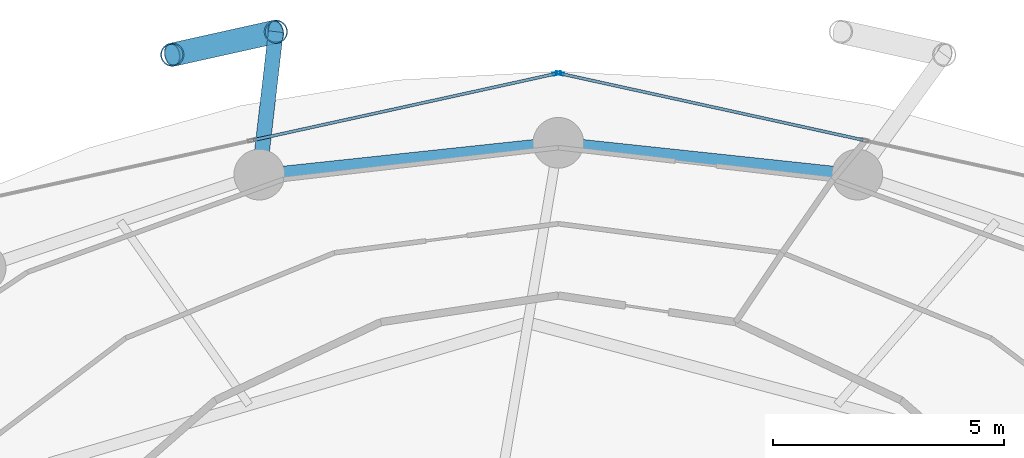
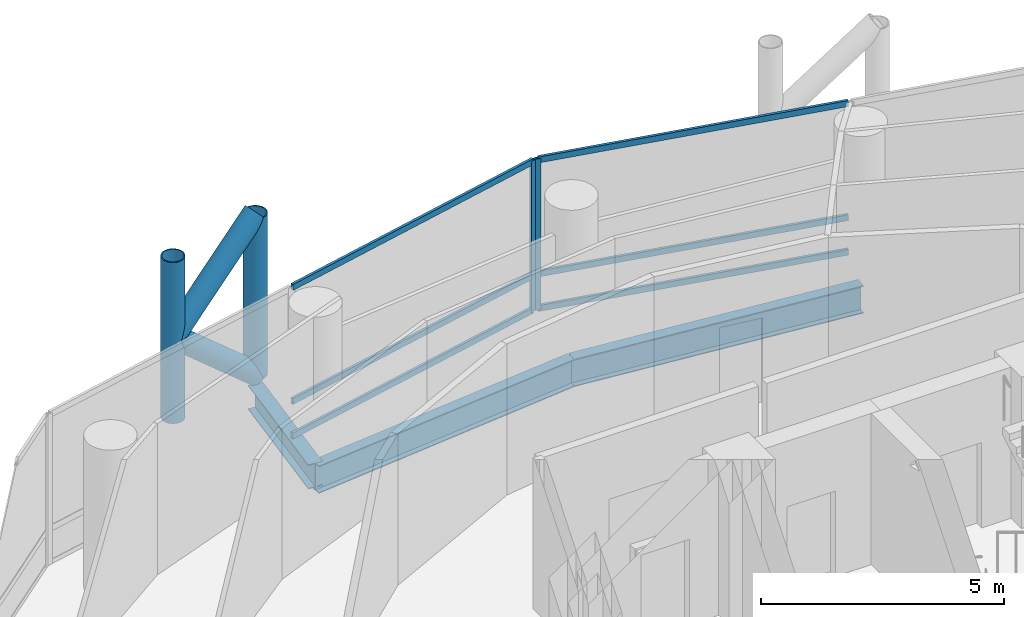
# One storey, part 16 of 26: 12 members, 3 beams, 2 elements without a shape of their own.
"""IFC4 building model written with IfcOpenShell, lengths in metres."""

import ifcopenshell
import ifcopenshell.guid

model = None  # the IFC model being written
_history = None  # IfcOwnerHistory: only IFC2X3 demands one
_inside = {}  # id of a spatial element -> (the spatial element, [elements in it])
_under = {}  # id of a project, library or spatial element -> (it, [spatial elements below it])
_declared = {}  # id of a project -> (the project, [libraries it declares])
_typed = {}  # id of a type object -> (the type object, [elements of that type])
_made_of = {}  # id of a material, layer set ... -> (it, [elements and type objects made of it])


def new_model(schema):
    """Start an empty IFC model of exactly this schema.

    Asked for "IFC4X3", IfcOpenShell would pick the latest addendum, in which some entities
    have other attributes; the version numbers below select the first issue.
    IFC2X3 requires an IfcOwnerHistory on every rooted entity: one is made here for all.
    """
    global model, _history
    if schema == "IFC4X3":
        model = ifcopenshell.file(schema_version=(4, 3, 0, 0))
    else:
        model = ifcopenshell.file(schema=schema)
    _inside.clear()
    _under.clear()
    _declared.clear()
    _typed.clear()
    _made_of.clear()
    _history = None
    if model.schema == "IFC2X3":
        org = make("IfcOrganization", Name="unknown")
        user = make(
            "IfcPersonAndOrganization",
            ThePerson=make("IfcPerson", FamilyName="unknown"),
            TheOrganization=org,
        )
        app = make(
            "IfcApplication",
            ApplicationDeveloper=org,
            Version="unknown",
            ApplicationFullName="unknown",
            ApplicationIdentifier="unknown",
        )
        _history = make(
            "IfcOwnerHistory",
            OwningUser=user,
            OwningApplication=app,
            ChangeAction="ADDED",
            CreationDate=0,
        )
    return model


def make(cls, **values):
    """One entity of the class cls with the attributes given. An attribute that is None is left unset."""
    return model.create_entity(
        cls, **{name: value for name, value in values.items() if value is not None}
    )


def rooted(cls, **values):
    """An entity with a GlobalId (a new one), such as an element, a storey or a relation."""
    return make(cls, GlobalId=ifcopenshell.guid.new(), OwnerHistory=_history, **values)


def si_unit(unit_type, name, prefix=None):
    """IfcSIUnit, for example si_unit("LENGTHUNIT", "METRE", prefix="MILLI")."""
    return make("IfcSIUnit", UnitType=unit_type, Prefix=prefix, Name=name)


def assignment(units):
    """IfcUnitAssignment: the units of a project."""
    return None if units is None else make("IfcUnitAssignment", Units=units)


def point(xyz):
    """IfcCartesianPoint."""
    return None if xyz is None else make("IfcCartesianPoint", Coordinates=xyz)


def direction(xyz):
    """IfcDirection."""
    return None if xyz is None else make("IfcDirection", DirectionRatios=xyz)


def frame(location, z_axis=None, x_axis=None):
    """IfcAxis2Placement3D, a coordinate frame: its origin and axes. An axis left out is left unset."""
    return make(
        "IfcAxis2Placement3D",
        Location=point(location),
        Axis=direction(z_axis),
        RefDirection=direction(x_axis),
    )


def frame_2d(location, x_axis=None):
    """IfcAxis2Placement2D, a coordinate frame in the plane: its origin and x axis."""
    return make(
        "IfcAxis2Placement2D", Location=point(location), RefDirection=direction(x_axis)
    )


def origin():
    """The frame at (0, 0, 0) with its axes left unset."""
    return frame((0.0, 0.0, 0.0))


def origin_2d():
    """The frame at (0, 0) in the plane with its x axis left unset."""
    return frame_2d((0.0, 0.0))


def place(relative_to, where):
    """IfcLocalPlacement: puts the frame where relative to a parent placement (None: the world)."""
    return make(
        "IfcLocalPlacement", PlacementRelTo=relative_to, RelativePlacement=where
    )


def context(
    kind, dimensions, precision=None, world=None, true_north=None, identifier=None
):
    """IfcGeometricRepresentationContext, for example the 3D "Model" context."""
    return make(
        "IfcGeometricRepresentationContext",
        ContextIdentifier=identifier,
        ContextType=kind,
        CoordinateSpaceDimension=dimensions,
        Precision=precision,
        WorldCoordinateSystem=world,
        TrueNorth=true_north,
    )


def subcontext(parent, identifier, kind, view, scale=None):
    """IfcGeometricRepresentationSubContext, for example "Body" below "Model"."""
    return make(
        "IfcGeometricRepresentationSubContext",
        ContextIdentifier=identifier,
        ContextType=kind,
        ParentContext=parent,
        TargetScale=scale,
        TargetView=view,
    )


def project(units=None, contexts=None):
    """IfcProject with its units and contexts."""
    return rooted(
        "IfcProject",
        Name="project",
        RepresentationContexts=contexts,
        UnitsInContext=assignment(units),
    )


def spatial(cls, under=None, at=None, **own):
    """A site, building, storey or space (cls), placed at a placement, below another one or the project."""
    s = rooted(cls, ObjectPlacement=at, **own)
    if under is not None:
        _under.setdefault(under.id(), (under, []))[1].append(s)
    return s


def profile(cls, at=None, kind="AREA", **sizes):
    """A parametric profile (cls). Its sizes go by their IFC names, for example OverallWidth=200.0."""
    return make(cls, ProfileType=kind, Position=at, **sizes)


def hollow_rectangle(**sizes):
    """IfcRectangleHollowProfileDef."""
    return profile("IfcRectangleHollowProfileDef", **sizes)


def hollow_circle(**sizes):
    """IfcCircleHollowProfileDef."""
    return profile("IfcCircleHollowProfileDef", **sizes)


def i_section(**sizes):
    """IfcIShapeProfileDef."""
    return profile("IfcIShapeProfileDef", **sizes)


def extrude(swept, where, along, depth):
    """IfcExtrudedAreaSolid: the profile swept, set in the frame where, extruded along a direction by depth."""
    return make(
        "IfcExtrudedAreaSolid",
        SweptArea=swept,
        Position=where,
        ExtrudedDirection=direction(along),
        Depth=depth,
    )


def shape(context_of_items, identifier, shape_type, items):
    """IfcShapeRepresentation: the items that make up one representation, for example the "Body"."""
    return make(
        "IfcShapeRepresentation",
        ContextOfItems=context_of_items,
        RepresentationIdentifier=identifier,
        RepresentationType=shape_type,
        Items=items,
    )


def material(Name=None, Category=None):
    """IfcMaterial."""
    return make("IfcMaterial", Name=Name, Category=Category)


def layer(
    of_material, thickness, ventilated=None, Name=None, Category=None, Priority=None
):
    """IfcMaterialLayer: one layer of a wall or slab, of a material (None: an air gap)."""
    return make(
        "IfcMaterialLayer",
        Material=of_material,
        LayerThickness=thickness,
        IsVentilated=ventilated,
        Name=Name,
        Category=Category,
        Priority=Priority,
    )


def layer_set(layers, Name=None):
    """IfcMaterialLayerSet."""
    return make("IfcMaterialLayerSet", MaterialLayers=layers, LayerSetName=Name)


def material_profile(
    of_material, cross_section, Name=None, Category=None, Priority=None
):
    """IfcMaterialProfile: a cross section and its material."""
    return make(
        "IfcMaterialProfile",
        Name=Name,
        Material=of_material,
        Profile=cross_section,
        Priority=Priority,
        Category=Category,
    )


def profile_set(profiles, Name=None, composite=None):
    """IfcMaterialProfileSet."""
    return make(
        "IfcMaterialProfileSet",
        Name=Name,
        MaterialProfiles=profiles,
        CompositeProfile=composite,
    )


def made_of(thing, what):
    """Note that an element or type object is made of a material, layer set ...; save() writes the relation."""
    if what is not None:
        _made_of.setdefault(what.id(), (what, []))[1].append(thing)
    return thing


def type_object(cls, material=None, **own):
    """A type object (cls), such as IfcWallType, which elements share."""
    return made_of(rooted(cls, **own), material)


def element(
    cls,
    number,
    at=None,
    inside=None,
    cuts=None,
    type_object=None,
    material=None,
    context=None,
    identifier="Body",
    shape_type=None,
    held_by="IfcProductDefinitionShape",
    body=None,
    shapes=None,
    **own,
):
    """One element of the class cls, such as IfcWall. Its Tag is "e" and its number.

    at: its placement. inside: the storey or other place that contains it. cuts: it is an
    opening in that element (IfcRelVoidsElement). A single representation is given by context,
    identifier, shape_type and body (its items); several are given by shapes. held_by: the class
    of the entity that holds the representations. save() writes the other relations.
    """
    e = rooted(cls, Tag="e%d" % number, ObjectPlacement=at, **own)
    if body is not None:
        shapes = [shape(context, identifier, shape_type, body)]
    if shapes is not None:
        e.Representation = make(held_by, Representations=shapes)
    if inside is not None:
        _inside.setdefault(inside.id(), (inside, []))[1].append(e)
    if cuts is not None:
        rooted(
            "IfcRelVoidsElement", RelatingBuildingElement=cuts, RelatedOpeningElement=e
        )
    if type_object is not None:
        _typed.setdefault(type_object.id(), (type_object, []))[1].append(e)
    return made_of(e, material)


def aggregate(whole, parts):
    """IfcRelAggregates: a whole, such as a stair, and the parts it consists of."""
    return rooted("IfcRelAggregates", RelatingObject=whole, RelatedObjects=parts)


def save(model, path):
    """Write the relations noted so far, then the file.

    IfcRelAggregates (storeys below a building ...), IfcRelContainedInSpatialStructure (elements
    in a storey), IfcRelDefinesByType, IfcRelAssociatesMaterial and IfcRelDeclares: one each for
    every whole, place, type object, material and project.
    """
    for whole, parts in _under.values():
        aggregate(whole, parts)
    for where, things in _inside.values():
        rooted(
            "IfcRelContainedInSpatialStructure",
            RelatedElements=things,
            RelatingStructure=where,
        )
    for kind, things in _typed.values():
        rooted("IfcRelDefinesByType", RelatedObjects=things, RelatingType=kind)
    for what, things in _made_of.values():
        rooted("IfcRelAssociatesMaterial", RelatedObjects=things, RelatingMaterial=what)
    for by, libraries in _declared.values():
        rooted("IfcRelDeclares", RelatingContext=by, RelatedDefinitions=libraries)
    model.write(path)


model = new_model("IFC4")

# Units and contexts
model_context = context("Model", 3, precision=1e-05, world=origin(), true_north=direction((0.0, 1.0)))
body_context = subcontext(model_context, "Body", "Model", "MODEL_VIEW")
ifc_project = project(units=[si_unit("LENGTHUNIT", "METRE"), si_unit("AREAUNIT", "SQUARE_METRE"), si_unit("VOLUMEUNIT", "CUBIC_METRE"), si_unit("PLANEANGLEUNIT", "RADIAN"), si_unit("MASSUNIT", "GRAM", prefix="KILO")], contexts=[model_context])

# Site, building, storey
site_placement = place(None, origin())
site = spatial("IfcSite", under=ifc_project, at=site_placement, CompositionType="ELEMENT")
building_placement = place(site_placement, origin())
building = spatial("IfcBuilding", under=site, at=building_placement, Name="Nuhasar Tower", CompositionType="ELEMENT")
storey_placement = place(building_placement, frame((0.0, 0.0, 93.89990234375)))
storey = spatial("IfcBuildingStorey", under=building, at=storey_placement, Name="L22", CompositionType="ELEMENT", Elevation=93.89990234375)

# Beams
ifc_material_1 = material(Name="Steel S355", Category="steel")
ifc_material_profile_1 = material_profile(ifc_material_1, i_section(OverallWidth=0.256103515625, OverallDepth=0.693115234375, WebThickness=0.014404296875, FlangeThickness=0.023681640625, at=origin_2d()), Name="W27X114")
ifc_profile_set_1 = profile_set([ifc_material_profile_1], Name="Steel S355")
beam_type_1 = type_object("IfcBeamType", Name="BM-RING-W27X114", PredefinedType="SPANDREL", material=ifc_profile_set_1)
for number, where, z_axis, x_axis, name in (
    (1, (45.48291015625, 46.360107421875, -0.596923828125), (-0.994384554061, 0.105827022286, 0.0), (-0.105827022286, -0.994384554061, 0.0), "L22 Perimeter Ring Spandrel 06"),
    (2, (39.0, 47.050048828125, -0.596923828125), (-0.994384554061, -0.105827022286, 0.0), (0.105827022286, -0.994384554061, 0.0), "L22 Perimeter Ring Spandrel 07"),
):
    element("IfcBeam", number, at=place(storey_placement, frame(where, z_axis=z_axis, x_axis=x_axis)), inside=storey, type_object=beam_type_1, Name=name, PredefinedType="SPANDREL", context=body_context, shape_type="SweptSolid", body=[
        extrude(i_section(OverallWidth=0.256103515625, OverallDepth=0.693115234375, WebThickness=0.014404296875, FlangeThickness=0.023681640625, at=origin_2d()), origin(), (0.0, 0.0, 1.0), 6.51953125),
    ])
ifc_material_profile_2 = material_profile(ifc_material_1, i_section(OverallWidth=0.323974609375, OverallDepth=0.611083984375, WebThickness=0.0126953125, FlangeThickness=0.01904296875, at=origin_2d()), Name="W24X104")
ifc_profile_set_2 = profile_set([ifc_material_profile_2], Name="Steel S355")
beam_type_2 = type_object("IfcBeamType", Name="BM-TIE-W24X104", PredefinedType="BEAM", material=ifc_profile_set_2)
beam_placement = place(storey_placement, frame((32.51708984375, 46.360107421875, -0.554931640625), z_axis=(0.115042934281, 0.993360520291, 0.0), x_axis=(-0.993360520291, 0.115042934281, 0.0)))
element("IfcBeam", 3, at=beam_placement, inside=storey, type_object=beam_type_2, Name="L22 Exoskeleton Node Tie Beam 04", PredefinedType="BEAM", context=body_context, shape_type="SweptSolid", body=[
    extrude(i_section(OverallWidth=0.323974609375, OverallDepth=0.611083984375, WebThickness=0.0126953125, FlangeThickness=0.01904296875, at=origin_2d()), origin(), (0.0, 0.0, 1.0), 3.11962890625),
])

# Curtain wall, member
ifc_material_2 = material(Name="Aluminium 6063-T6", Category="aluminium")
ifc_layer = layer(ifc_material_2, 0.199951171875)
ifc_layer_set = layer_set([ifc_layer], Name="Aluminium 6063-T6")
curtain_wall_type = type_object("IfcCurtainWallType", Name="CW-Z1-OFF", PredefinedType="NOTDEFINED", material=ifc_layer_set)
curtain_wall_1_placement = place(storey_placement, origin())
curtain_wall_1 = element("IfcCurtainWall", 4, at=curtain_wall_1_placement, inside=storey, type_object=curtain_wall_type, Name="L22 Unitised Curtain Wall 03", PredefinedType="NOTDEFINED")
ifc_material_profile_3 = material_profile(ifc_material_2, hollow_rectangle(XDim=0.06494140625, YDim=0.179931640625, WallThickness=0.0048828125, at=origin_2d()), Name="CWM-2")
ifc_profile_set_3 = profile_set([ifc_material_profile_3], Name="Aluminium 6063-T6")
member_type_1 = type_object("IfcMemberType", Name="CW-MUL-S2", PredefinedType="MULLION", material=ifc_profile_set_3)
member_1_placement = place(storey_placement, frame((39.03173828125, 48.552978515625, 0.0), z_axis=(0.0, 0.0, 1.0), x_axis=(-0.214398737637, -0.976746221544, 0.0)))
member_1 = element("IfcMember", 5, at=member_1_placement, type_object=member_type_1, Name="CW-Z1 mullion 3", PredefinedType="MULLION", context=body_context, shape_type="SweptSolid", body=[
    extrude(hollow_rectangle(XDim=0.06494140625, YDim=0.179931640625, WallThickness=0.0048828125, at=origin_2d()), origin(), (0.0, 0.0, 1.0), 3.800048828125),
])

curtain_wall_2_placement = place(storey_placement, origin())
curtain_wall_2 = element("IfcCurtainWall", 6, at=curtain_wall_2_placement, inside=storey, type_object=curtain_wall_type, Name="L22 Unitised Curtain Wall 04", PredefinedType="NOTDEFINED")
member_2_placement = place(storey_placement, frame((38.96826171875, 48.552978515625, 0.0), z_axis=(0.0, 0.0, 1.0), x_axis=(0.214398737637, -0.976746221544, 0.0)))
member_2 = element("IfcMember", 7, at=member_2_placement, type_object=member_type_1, Name="CW-Z1 mullion 1", PredefinedType="MULLION", context=body_context, shape_type="SweptSolid", body=[
    extrude(hollow_rectangle(XDim=0.06494140625, YDim=0.179931640625, WallThickness=0.0048828125, at=origin_2d()), origin(), (0.0, 0.0, 1.0), 3.800048828125),
])

# Member
ifc_material_profile_4 = material_profile(ifc_material_2, hollow_rectangle(XDim=0.06494140625, YDim=0.14990234375, WallThickness=0.00439453125, at=origin_2d()), Name="CWT-2")
ifc_profile_set_4 = profile_set([ifc_material_profile_4], Name="Aluminium 6063-T6")
member_type_2 = type_object("IfcMemberType", Name="CW-TRN-S2", PredefinedType="USERDEFINED", material=ifc_profile_set_4)
member_3_placement = place(storey_placement, frame((45.608154296875, 47.109375, 0.03271484375), z_axis=(-0.976740248595, 0.214425947065, 0.0), x_axis=(-0.214425947065, -0.976740248595, 0.0)))
member_3 = element("IfcMember", 8, at=member_3_placement, type_object=member_type_2, Name="CW-Z1 transom 2.1", ObjectType="TRANSOM", PredefinedType="USERDEFINED", context=body_context, shape_type="SweptSolid", body=[
    extrude(hollow_rectangle(XDim=0.06494140625, YDim=0.14990234375, WallThickness=0.00439453125, at=origin_2d()), origin(), (0.0, 0.0, 1.0), 6.700439453125),
])

member_4_placement = place(storey_placement, frame((45.608154296875, 47.109375, 0.900146484375), z_axis=(-0.976740248595, 0.214425947065, 0.0), x_axis=(-0.214425947065, -0.976740248595, 0.0)))
member_4 = element("IfcMember", 9, at=member_4_placement, type_object=member_type_2, Name="CW-Z1 transom 2.2", ObjectType="TRANSOM", PredefinedType="USERDEFINED", context=body_context, shape_type="SweptSolid", body=[
    extrude(hollow_rectangle(XDim=0.06494140625, YDim=0.14990234375, WallThickness=0.00439453125, at=origin_2d()), origin(), (0.0, 0.0, 1.0), 6.700439453125),
])

member_5_placement = place(storey_placement, frame((45.608154296875, 47.109375, 3.767578125), z_axis=(-0.976740248595, 0.214425947065, 0.0), x_axis=(-0.214425947065, -0.976740248595, 0.0)))
member_5 = element("IfcMember", 10, at=member_5_placement, type_object=member_type_2, Name="CW-Z1 transom 2.3", ObjectType="TRANSOM", PredefinedType="USERDEFINED", context=body_context, shape_type="SweptSolid", body=[
    extrude(hollow_rectangle(XDim=0.06494140625, YDim=0.14990234375, WallThickness=0.00439453125, at=origin_2d()), origin(), (0.0, 0.0, 1.0), 6.700439453125),
])

aggregate(curtain_wall_1, [member_1, member_3, member_4, member_5])

member_6_placement = place(storey_placement, frame((38.9365234375, 48.546142578125, 0.03271484375), z_axis=(-0.976740248595, -0.214425947065, 0.0), x_axis=(0.214425947065, -0.976740248595, 0.0)))
member_6 = element("IfcMember", 11, at=member_6_placement, type_object=member_type_2, Name="CW-Z1 transom 1.1", ObjectType="TRANSOM", PredefinedType="USERDEFINED", context=body_context, shape_type="SweptSolid", body=[
    extrude(hollow_rectangle(XDim=0.06494140625, YDim=0.14990234375, WallThickness=0.00439453125, at=origin_2d()), origin(), (0.0, 0.0, 1.0), 6.700439453125),
])

member_7_placement = place(storey_placement, frame((38.9365234375, 48.546142578125, 0.900146484375), z_axis=(-0.976740248595, -0.214425947065, 0.0), x_axis=(0.214425947065, -0.976740248595, 0.0)))
member_7 = element("IfcMember", 12, at=member_7_placement, type_object=member_type_2, Name="CW-Z1 transom 1.2", ObjectType="TRANSOM", PredefinedType="USERDEFINED", context=body_context, shape_type="SweptSolid", body=[
    extrude(hollow_rectangle(XDim=0.06494140625, YDim=0.14990234375, WallThickness=0.00439453125, at=origin_2d()), origin(), (0.0, 0.0, 1.0), 6.700439453125),
])

member_8_placement = place(storey_placement, frame((38.9365234375, 48.546142578125, 3.767578125), z_axis=(-0.976740248595, -0.214425947065, 0.0), x_axis=(0.214425947065, -0.976740248595, 0.0)))
member_8 = element("IfcMember", 13, at=member_8_placement, type_object=member_type_2, Name="CW-Z1 transom 1.3", ObjectType="TRANSOM", PredefinedType="USERDEFINED", context=body_context, shape_type="SweptSolid", body=[
    extrude(hollow_rectangle(XDim=0.06494140625, YDim=0.14990234375, WallThickness=0.00439453125, at=origin_2d()), origin(), (0.0, 0.0, 1.0), 6.700439453125),
])

aggregate(curtain_wall_2, [member_2, member_6, member_7, member_8])

# Members
ifc_material_3 = material(Name="Steel S460", Category="steel")
ifc_material_profile_5 = material_profile(ifc_material_3, hollow_circle(Radius=0.25390625, WallThickness=0.025390625, at=origin_2d()), Name="HSS508X25.4")
ifc_profile_set_5 = profile_set([ifc_material_profile_5], Name="Steel S460")
member_type_3 = type_object("IfcMemberType", Name="EXO-BRONZE-508", PredefinedType="BRACE", material=ifc_profile_set_5)
for number, where, z_axis, x_axis, name in (
    (14, (32.8759765625, 49.458984375, 0.0), (0.0, 0.0, 1.0), (1.0, 0.0, 0.0), "L22 Exoskeleton Chord Column EC-04A"),
    (15, (30.6298828125, 48.9599609375, 0.0), (0.0, 0.0, 1.0), (1.0, 0.0, 0.0), "L22 Exoskeleton Chord Column EC-04B"),
):
    element("IfcMember", number, at=place(storey_placement, frame(where, z_axis=z_axis, x_axis=x_axis)), inside=storey, type_object=member_type_3, Name=name, PredefinedType="BRACE", context=body_context, shape_type="SweptSolid", body=[
        extrude(hollow_circle(Radius=0.25390625, WallThickness=0.025390625, at=origin_2d()), origin(), (0.0, 0.0, 1.0), 4.050048828125),
    ])
member_9_placement = place(storey_placement, frame((32.8759765625, 49.458984375, 0.0), z_axis=(-0.732782908552, -0.162805246204, 0.660699372439), x_axis=(0.216885517571, -0.97619704582, 0.0)))
element("IfcMember", 16, at=member_9_placement, inside=storey, type_object=member_type_3, Name="L22 Bronze Diagrid Brace W1-04", PredefinedType="BRACE", context=body_context, shape_type="SweptSolid", body=[
    extrude(hollow_circle(Radius=0.25390625, WallThickness=0.025390625, at=origin_2d()), origin(), (0.0, 0.0, 1.0), 3.065185546875),
])
member_10_placement = place(storey_placement, frame((30.6298828125, 48.9599609375, 2.025146484375), z_axis=(0.732821471909, 0.162813813976, 0.660654487828), x_axis=(-0.216885517571, 0.97619704582, 0.0)))
element("IfcMember", 17, at=member_10_placement, inside=storey, type_object=member_type_3, Name="L22 Bronze Diagrid Brace W2-04", PredefinedType="BRACE", context=body_context, shape_type="SweptSolid", body=[
    extrude(hollow_circle(Radius=0.25390625, WallThickness=0.025390625, at=origin_2d()), origin(), (0.0, 0.0, 1.0), 3.06494140625),
])

save(model, "model.ifc")
